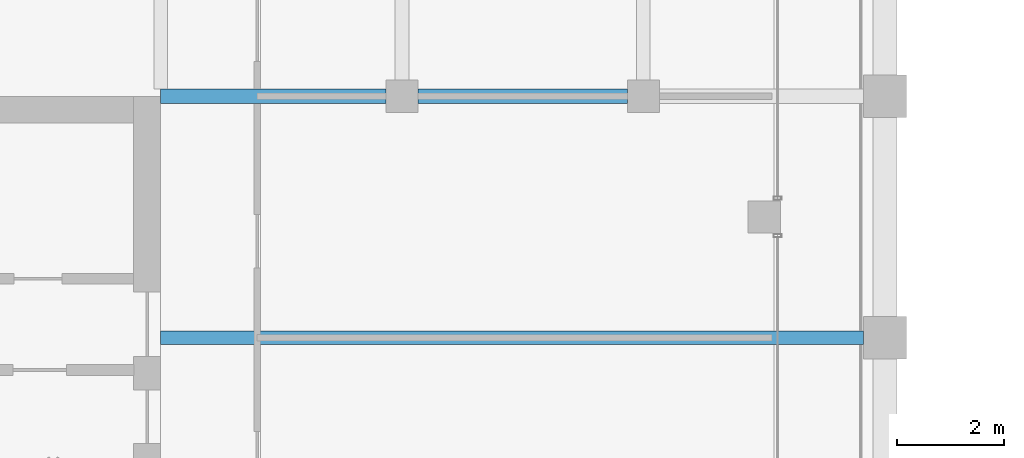
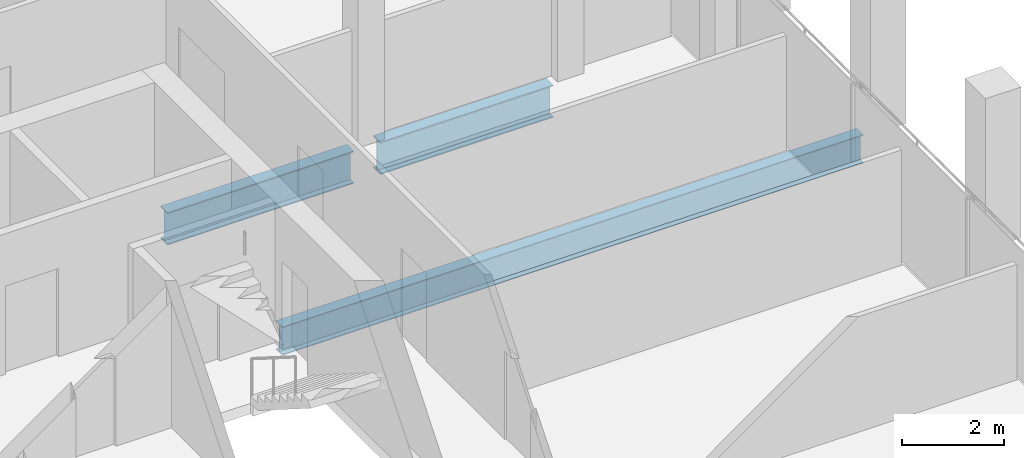
# One storey, part 20 of 62: 3 beams.
"""IFC4 building model written with IfcOpenShell, lengths in metres."""

from ifc_helpers import new_model, si_unit, direction, frame, origin, origin_2d, place, context, subcontext, project, spatial, i_section, extrude, material, material_profile, profile_set, type_object, element, save


model = new_model("IFC4")

# Units and contexts
model_context = context("Model", 3, precision=1e-05, world=origin(), true_north=direction((0.0, 1.0)))
body_context = subcontext(model_context, "Body", "Model", "MODEL_VIEW")
ifc_project = project(units=[si_unit("LENGTHUNIT", "METRE"), si_unit("AREAUNIT", "SQUARE_METRE"), si_unit("VOLUMEUNIT", "CUBIC_METRE"), si_unit("PLANEANGLEUNIT", "RADIAN"), si_unit("MASSUNIT", "GRAM", prefix="KILO")], contexts=[model_context])

# Site, building, storey
site_placement = place(None, origin())
site = spatial("IfcSite", under=ifc_project, at=site_placement, CompositionType="ELEMENT")
building_placement = place(site_placement, origin())
building = spatial("IfcBuilding", under=site, at=building_placement, Name="Altepetl Exchange Towers", CompositionType="ELEMENT")
storey_placement = place(building_placement, frame((0.0, 0.0, 210.0)))
storey = spatial("IfcBuildingStorey", under=building, at=storey_placement, Name="L53", CompositionType="ELEMENT", Elevation=210.0)

# Beams
ifc_material = material(Name="Steel S355", Category="steel")
ifc_material_profile_1 = material_profile(ifc_material, i_section(OverallWidth=0.2529296875, OverallDepth=0.677978515625, WebThickness=0.01171875, FlangeThickness=0.016357421875, at=origin_2d()), Name="W27X84")
ifc_profile_set_1 = profile_set([ifc_material_profile_1], Name="Steel S355")
beam_type_1 = type_object("IfcBeamType", Name="Floor beam W27X84", PredefinedType="BEAM", material=ifc_profile_set_1)
beam_1_placement = place(storey_placement, frame((58.5, 54.0, -0.489013671875), z_axis=(1.0, 0.0, 0.0), x_axis=(0.0, 1.0, 0.0)))
element("IfcBeam", 1, at=beam_1_placement, inside=storey, type_object=beam_type_1, Name="bm:A:L53:011", PredefinedType="BEAM", context=body_context, shape_type="SweptSolid", body=[
    extrude(i_section(OverallWidth=0.2529296875, OverallDepth=0.677978515625, WebThickness=0.01171875, FlangeThickness=0.016357421875, at=origin_2d()), origin(), (0.0, 0.0, 1.0), 13.10009765625),
])
ifc_material_profile_2 = material_profile(ifc_material, i_section(OverallWidth=0.26806640625, OverallDepth=0.77392578125, WebThickness=0.015380859375, FlangeThickness=0.025390625, at=origin_2d()), Name="W30X132")
ifc_profile_set_2 = profile_set([ifc_material_profile_2], Name="Steel S355")
beam_type_2 = type_object("IfcBeamType", Name="Girder W30X132", PredefinedType="BEAM", material=ifc_profile_set_2)
beam_2_placement = place(storey_placement, frame((58.5, 58.5, -0.537109375), z_axis=(1.0, 0.0, 0.0), x_axis=(0.0, 1.0, 0.0)))
element("IfcBeam", 2, at=beam_2_placement, inside=storey, type_object=beam_type_2, Name="gd:A:L53:000", PredefinedType="BEAM", context=body_context, shape_type="SweptSolid", body=[
    extrude(i_section(OverallWidth=0.26806640625, OverallDepth=0.77392578125, WebThickness=0.015380859375, FlangeThickness=0.025390625, at=origin_2d()), origin(), (0.0, 0.0, 1.0), 4.199951171875),
])
beam_3_placement = place(storey_placement, frame((63.300048828125, 58.5, -0.537109375), z_axis=(1.0, 0.0, 0.0), x_axis=(0.0, 1.0, 0.0)))
element("IfcBeam", 3, at=beam_3_placement, inside=storey, type_object=beam_type_2, Name="gd:A:L53:001", PredefinedType="BEAM", context=body_context, shape_type="SweptSolid", body=[
    extrude(i_section(OverallWidth=0.26806640625, OverallDepth=0.77392578125, WebThickness=0.015380859375, FlangeThickness=0.025390625, at=origin_2d()), origin(), (0.0, 0.0, 1.0), 3.89990234375),
])

save(model, "model.ifc")
